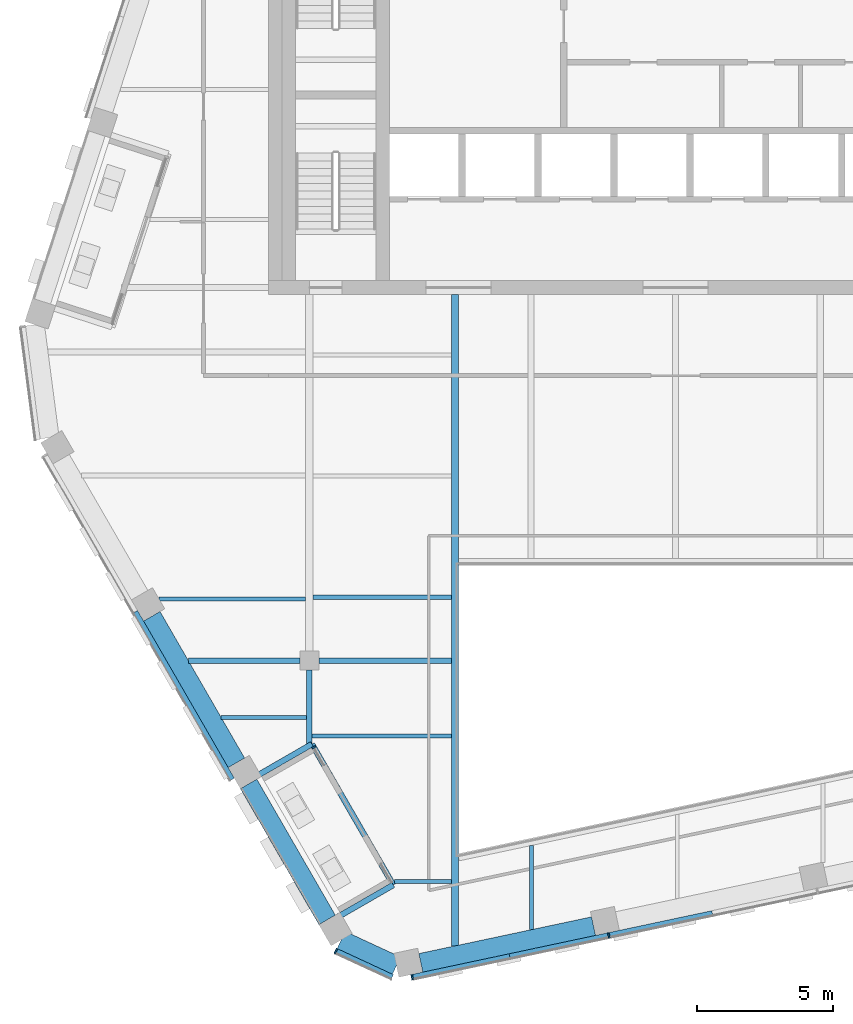
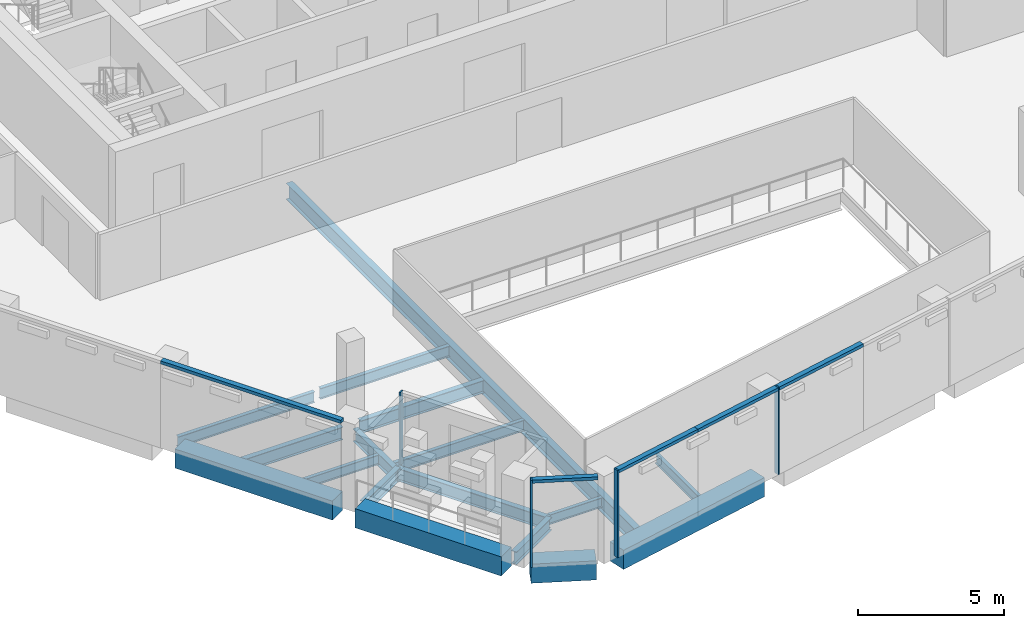
# One storey, part 2 of 22: 17 beams, 9 members, 4 elements without a shape of their own.
"""IFC4 building model written with IfcOpenShell, lengths in metres."""

from ifc_helpers import new_model, si_unit, direction, frame, origin, origin_2d, place, context, subcontext, project, spatial, rectangle, i_section, extrude, material, layer, layer_set, material_profile, profile_set, type_object, element, aggregate, save


model = new_model("IFC4")

# Units and contexts
model_context = context("Model", 3, precision=1e-05, world=origin(), true_north=direction((0.0, 1.0)))
body_context = subcontext(model_context, "Body", "Model", "MODEL_VIEW")
ifc_project = project(units=[si_unit("LENGTHUNIT", "METRE"), si_unit("AREAUNIT", "SQUARE_METRE"), si_unit("VOLUMEUNIT", "CUBIC_METRE"), si_unit("PLANEANGLEUNIT", "RADIAN"), si_unit("MASSUNIT", "GRAM", prefix="KILO")], contexts=[model_context])

# Site, building, storey
site_placement = place(None, origin())
site = spatial("IfcSite", under=ifc_project, at=site_placement, CompositionType="ELEMENT")
building_placement = place(site_placement, origin())
building = spatial("IfcBuilding", under=site, at=building_placement, Name="Isthmus Gate Tower", CompositionType="ELEMENT")
storey_placement = place(building_placement, frame((0.0, 0.0, 264.60009765625)))
storey = spatial("IfcBuildingStorey", under=building, at=storey_placement, Name="L67", CompositionType="ELEMENT", Elevation=264.60009765625)

# Curtain wall, member
ifc_material_1 = material(Name="Aluminium, pale champagne anodised", Category="aluminium")
ifc_layer_1 = layer(ifc_material_1, 0.199951171875)
ifc_layer_set_1 = layer_set([ifc_layer_1], Name="CW-1 UNITISED CURTAIN WALL 200 DEEP")
curtain_wall_type_1 = type_object("IfcCurtainWallType", Name="CW-1 UNITISED CURTAIN WALL 200 DEEP", PredefinedType="NOTDEFINED", material=ifc_layer_set_1)
curtain_wall_1_placement = place(storey_placement, origin())
curtain_wall_1 = element("IfcCurtainWall", 1, at=curtain_wall_1_placement, inside=storey, type_object=curtain_wall_type_1, Name="CW-1 SW-S L67", PredefinedType="NOTDEFINED")
ifc_material_2 = material(Name="Aluminium, pale champagne anodised", Category="aluminium")
ifc_material_profile_1 = material_profile(ifc_material_2, rectangle(XDim=0.06005859375, YDim=0.199951171875, at=origin_2d()), Name="60x200")
ifc_profile_set_1 = profile_set([ifc_material_profile_1], Name="Aluminium, pale champagne anodised")
member_type_1 = type_object("IfcMemberType", Name="CW-1 MULLION 60 X 200", PredefinedType="MULLION", material=ifc_profile_set_1)
member_1_placement = place(storey_placement, frame((-12.519775390625, -24.201171875, 0.0), z_axis=(0.0, 0.0, 1.0), x_axis=(0.907256261367, -0.420578264073, 0.0)))
member_1 = element("IfcMember", 2, at=member_1_placement, type_object=member_type_1, Name="CW-1 mullion", PredefinedType="MULLION", context=body_context, shape_type="SweptSolid", body=[
    extrude(rectangle(XDim=0.06005859375, YDim=0.199951171875, at=origin_2d()), origin(), (0.0, 0.0, 1.0), 3.64990234375),
])

# Curtain wall, members
curtain_wall_2_placement = place(storey_placement, origin())
curtain_wall_2 = element("IfcCurtainWall", 3, at=curtain_wall_2_placement, inside=storey, type_object=curtain_wall_type_1, Name="CW-1 S L67", PredefinedType="NOTDEFINED")
member_2_placement = place(storey_placement, frame((-9.70703125, -25.16552734375, 0.0), z_axis=(0.0, 0.0, 1.0), x_axis=(0.978147600734, 0.207911690818, 0.0)))
member_2 = element("IfcMember", 4, at=member_2_placement, type_object=member_type_1, Name="CW-1 mullion", PredefinedType="MULLION", context=body_context, shape_type="SweptSolid", body=[
    extrude(rectangle(XDim=0.06005859375, YDim=0.199951171875, at=origin_2d()), origin(), (0.0, 0.0, 1.0), 3.64990234375),
])
member_3_placement = place(storey_placement, frame((-2.462158203125, -23.62548828125, 0.0), z_axis=(0.0, 0.0, 1.0), x_axis=(0.978147600734, 0.207911690818, 0.0)))
member_3 = element("IfcMember", 5, at=member_3_placement, type_object=member_type_1, Name="CW-1 mullion", PredefinedType="MULLION", context=body_context, shape_type="SweptSolid", body=[
    extrude(rectangle(XDim=0.06005859375, YDim=0.199951171875, at=origin_2d()), origin(), (0.0, 0.0, 1.0), 3.64990234375),
])

# Curtain wall, member
curtain_wall_3_placement = place(storey_placement, origin())
curtain_wall_3 = element("IfcCurtainWall", 6, at=curtain_wall_3_placement, inside=storey, type_object=curtain_wall_type_1, Name="CW-1 SW L67", PredefinedType="NOTDEFINED")
ifc_material_3 = material(Name="Aluminium, pale champagne anodised", Category="aluminium")
ifc_material_profile_2 = material_profile(ifc_material_3, rectangle(XDim=0.199951171875, YDim=0.1298828125, at=origin_2d()), Name="200x130")
ifc_profile_set_2 = profile_set([ifc_material_profile_2], Name="Aluminium, pale champagne anodised")
member_type_2 = type_object("IfcMemberType", Name="CW-1 TRANSOM 200 X 130", PredefinedType="USERDEFINED", material=ifc_profile_set_2)
member_4_placement = place(storey_placement, frame((-19.917724609375, -11.70166015625, 3.5849609375), z_axis=(0.500010763282, -0.866019189511, 0.0), x_axis=(0.866019189511, 0.500010763282, 0.0)))
member_4 = element("IfcMember", 7, at=member_4_placement, type_object=member_type_2, Name="CW-1 transom", ObjectType="TRANSOM", PredefinedType="USERDEFINED", context=body_context, shape_type="SweptSolid", body=[
    extrude(rectangle(XDim=0.199951171875, YDim=0.1298828125, at=origin_2d()), origin(), (0.0, 0.0, 1.0), 7.134521484375),
])
aggregate(curtain_wall_3, [member_4])

# Member
member_5_placement = place(storey_placement, frame((-12.49267578125, -24.213623046875, 3.5849609375), z_axis=(0.907246225564, -0.420599912268, 0.0), x_axis=(0.420599912268, 0.907246225564, 0.0)))
member_5 = element("IfcMember", 8, at=member_5_placement, type_object=member_type_2, Name="CW-1 transom", ObjectType="TRANSOM", PredefinedType="USERDEFINED", context=body_context, shape_type="SweptSolid", body=[
    extrude(rectangle(XDim=0.199951171875, YDim=0.1298828125, at=origin_2d()), origin(), (0.0, 0.0, 1.0), 2.258544921875),
])

aggregate(curtain_wall_1, [member_1, member_5])

member_6_placement = place(storey_placement, frame((-9.677734375, -25.1591796875, 3.5849609375), z_axis=(0.9781569775, 0.207867571707, 0.0), x_axis=(-0.207867571707, 0.9781569775, 0.0)))
member_6 = element("IfcMember", 9, at=member_6_placement, type_object=member_type_2, Name="CW-1 transom", ObjectType="TRANSOM", PredefinedType="USERDEFINED", context=body_context, shape_type="SweptSolid", body=[
    extrude(rectangle(XDim=0.199951171875, YDim=0.1298828125, at=origin_2d()), origin(), (0.0, 0.0, 1.0), 3.643310546875),
])

member_7_placement = place(storey_placement, frame((-6.114013671875, -24.40185546875, 3.5849609375), z_axis=(0.978146451283, 0.207917098487, 0.0), x_axis=(-0.207917098487, 0.978146451283, 0.0)))
member_7 = element("IfcMember", 10, at=member_7_placement, type_object=member_type_2, Name="CW-1 transom", ObjectType="TRANSOM", PredefinedType="USERDEFINED", context=body_context, shape_type="SweptSolid", body=[
    extrude(rectangle(XDim=0.199951171875, YDim=0.1298828125, at=origin_2d()), origin(), (0.0, 0.0, 1.0), 3.70361328125),
])

member_8_placement = place(storey_placement, frame((-2.432861328125, -23.619384765625, 3.5849609375), z_axis=(0.978140080964, 0.207947065409, 0.0), x_axis=(-0.207947065409, 0.978140080964, 0.0)))
member_8 = element("IfcMember", 11, at=member_8_placement, type_object=member_type_2, Name="CW-1 transom", ObjectType="TRANSOM", PredefinedType="USERDEFINED", context=body_context, shape_type="SweptSolid", body=[
    extrude(rectangle(XDim=0.199951171875, YDim=0.1298828125, at=origin_2d()), origin(), (0.0, 0.0, 1.0), 3.868408203125),
])

aggregate(curtain_wall_2, [member_2, member_6, member_7, member_3, member_8])

# Curtain wall, member
ifc_material_4 = material(Name="Aluminium, pale champagne anodised", Category="aluminium")
ifc_layer_2 = layer(ifc_material_4, 0.14990234375)
ifc_layer_set_2 = layer_set([ifc_layer_2], Name="CW-6 LOGGIA BACK WALL GLAZING 150 DEEP")
curtain_wall_type_2 = type_object("IfcCurtainWallType", Name="CW-6 LOGGIA BACK WALL GLAZING 150 DEEP", PredefinedType="NOTDEFINED", material=ifc_layer_set_2)
curtain_wall_4_placement = place(storey_placement, origin())
curtain_wall_4 = element("IfcCurtainWall", 12, at=curtain_wall_4_placement, inside=storey, type_object=curtain_wall_type_2, Name="CW-6 SW L67", PredefinedType="NOTDEFINED")
ifc_material_5 = material(Name="Aluminium, pale champagne anodised", Category="aluminium")
ifc_material_profile_3 = material_profile(ifc_material_5, rectangle(XDim=0.06005859375, YDim=0.14990234375, at=origin_2d()), Name="60x150")
ifc_profile_set_3 = profile_set([ifc_material_profile_3], Name="Aluminium, pale champagne anodised")
member_type_3 = type_object("IfcMemberType", Name="CW-6 MULLION 60 X 150", PredefinedType="MULLION", material=ifc_profile_set_3)
member_9_placement = place(storey_placement, frame((-13.339111328125, -16.696044921875, 0.0), z_axis=(0.0, 0.0, 1.0), x_axis=(0.5, -0.866025403784, 0.0)))
member_9 = element("IfcMember", 13, at=member_9_placement, type_object=member_type_3, Name="CW-6 mullion", PredefinedType="MULLION", context=body_context, shape_type="SweptSolid", body=[
    extrude(rectangle(XDim=0.06005859375, YDim=0.14990234375, at=origin_2d()), origin(), (0.0, 0.0, 1.0), 3.0498046875),
])
aggregate(curtain_wall_4, [member_9])

# Beams
ifc_material_6 = material(Name="Concrete f'c 50 MPa", Category="concrete")
ifc_material_profile_4 = material_profile(ifc_material_6, rectangle(XDim=0.699951171875, YDim=0.800048828125, at=origin_2d()), Name="RC 700X800")
ifc_profile_set_4 = profile_set([ifc_material_profile_4], Name="Concrete f'c 50 MPa")
beam_type_1 = type_object("IfcBeamType", Name="RC SPANDREL 700 X 800", PredefinedType="SPANDREL", material=ifc_profile_set_4)
beam_1_placement = place(storey_placement, frame((-3.025146484375, -23.28515625, -0.400146484375), z_axis=(-0.97815026796, -0.207899142108, 0.0), x_axis=(0.207899142108, -0.97815026796, 0.0)))
element("IfcBeam", 14, at=beam_1_placement, inside=storey, type_object=beam_type_1, Name="str-spandrel-L67-11", PredefinedType="SPANDREL", context=body_context, shape_type="SweptSolid", body=[
    extrude(rectangle(XDim=0.699951171875, YDim=0.800048828125, at=origin_2d()), origin(), (0.0, 0.0, 1.0), 6.5068359375),
])
beam_2_placement = place(storey_placement, frame((-10.288330078125, -24.739501953125, -0.400146484375), z_axis=(-0.907254968276, 0.42058105347, 0.0), x_axis=(-0.42058105347, -0.907254968276, 0.0)))
element("IfcBeam", 15, at=beam_2_placement, inside=storey, type_object=beam_type_1, Name="str-spandrel-L67-12", PredefinedType="SPANDREL", context=body_context, shape_type="SweptSolid", body=[
    extrude(rectangle(XDim=0.699951171875, YDim=0.800048828125, at=origin_2d()), origin(), (0.0, 0.0, 1.0), 2.245849609375),
])
beam_3_placement = place(storey_placement, frame((-12.843505859375, -23.0546875, -0.400146484375), z_axis=(-0.499961143711, 0.866047836311, 0.0), x_axis=(-0.866047836311, -0.499961143711, 0.0)))
element("IfcBeam", 16, at=beam_3_placement, inside=storey, type_object=beam_type_1, Name="str-spandrel-L67-13", PredefinedType="SPANDREL", context=body_context, shape_type="SweptSolid", body=[
    extrude(rectangle(XDim=0.699951171875, YDim=0.800048828125, at=origin_2d()), origin(), (0.0, 0.0, 1.0), 5.78466796875),
])
beam_4_placement = place(storey_placement, frame((-16.185791015625, -17.265625, -0.400146484375), z_axis=(-0.499997027648, 0.866027119866, 0.0), x_axis=(-0.866027119866, -0.499997027648, 0.0)))
element("IfcBeam", 17, at=beam_4_placement, inside=storey, type_object=beam_type_1, Name="str-spandrel-L67-14", PredefinedType="SPANDREL", context=body_context, shape_type="SweptSolid", body=[
    extrude(rectangle(XDim=0.699951171875, YDim=0.800048828125, at=origin_2d()), origin(), (0.0, 0.0, 1.0), 6.234375),
])
ifc_material_7 = material(Name="Structural steel ASTM A992 Gr 50", Category="steel")
ifc_material_profile_5 = material_profile(ifc_material_7, i_section(OverallWidth=0.1396484375, OverallDepth=0.4033203125, WebThickness=0.00634765625, FlangeThickness=0.010986328125, at=origin_2d()), Name="W16X31")
ifc_profile_set_5 = profile_set([ifc_material_profile_5], Name="Structural steel ASTM A992 Gr 50")
beam_type_2 = type_object("IfcBeamType", Name="STEEL FLOOR BEAM W16X31", PredefinedType="JOIST", material=ifc_profile_set_5)
beam_5_placement = place(storey_placement, frame((-16.7451171875, -15.5966796875, -0.351806640625), z_axis=(1.0, 0.0, 0.0), x_axis=(0.0, 1.0, 0.0)))
element("IfcBeam", 18, at=beam_5_placement, inside=storey, type_object=beam_type_2, Name="str-beam-L67-03-00", PredefinedType="JOIST", context=body_context, shape_type="SweptSolid", body=[
    extrude(i_section(OverallWidth=0.1396484375, OverallDepth=0.4033203125, WebThickness=0.00634765625, FlangeThickness=0.010986328125, at=origin_2d()), origin(), (0.0, 0.0, 1.0), 3.140380859375),
])
beam_6_placement = place(storey_placement, frame((-10.361083984375, -21.635009765625, -0.351806640625), z_axis=(1.0, 0.0, 0.0), x_axis=(0.0, 1.0, 0.0)))
element("IfcBeam", 19, at=beam_6_placement, inside=storey, type_object=beam_type_2, Name="str-beam-L67-06-00", PredefinedType="JOIST", context=body_context, shape_type="SweptSolid", body=[
    extrude(i_section(OverallWidth=0.1396484375, OverallDepth=0.4033203125, WebThickness=0.00634765625, FlangeThickness=0.010986328125, at=origin_2d()), origin(), (0.0, 0.0, 1.0), 2.107177734375),
])
beam_7_placement = place(storey_placement, frame((-5.314208984375, -23.4140625, -0.351806640625), z_axis=(0.0, 1.0, 0.0), x_axis=(-1.0, 0.0, 0.0)))
element("IfcBeam", 20, at=beam_7_placement, inside=storey, type_object=beam_type_2, Name="str-beam-L67-07-00", PredefinedType="JOIST", context=body_context, shape_type="SweptSolid", body=[
    extrude(i_section(OverallWidth=0.1396484375, OverallDepth=0.4033203125, WebThickness=0.00634765625, FlangeThickness=0.010986328125, at=origin_2d()), origin(), (0.0, 0.0, 1.0), 3.10107421875),
])
ifc_material_8 = material(Name="Structural steel ASTM A992 Gr 50", Category="steel")
ifc_material_profile_6 = material_profile(ifc_material_8, i_section(OverallWidth=0.15234375, OverallDepth=0.45068359375, WebThickness=0.0078125, FlangeThickness=0.010986328125, at=origin_2d()), Name="W18X35")
ifc_profile_set_6 = profile_set([ifc_material_profile_6], Name="Structural steel ASTM A992 Gr 50")
beam_type_3 = type_object("IfcBeamType", Name="STEEL FLOOR BEAM W18X35", PredefinedType="JOIST", material=ifc_profile_set_6)
beam_8_placement = place(storey_placement, frame((-19.03759765625, -11.225830078125, -0.37548828125), z_axis=(1.0, 0.0, 0.0), x_axis=(0.0, 1.0, 0.0)))
element("IfcBeam", 21, at=beam_8_placement, inside=storey, type_object=beam_type_3, Name="str-beam-L67-01-00", PredefinedType="JOIST", context=body_context, shape_type="SweptSolid", body=[
    extrude(i_section(OverallWidth=0.15234375, OverallDepth=0.45068359375, WebThickness=0.0078125, FlangeThickness=0.010986328125, at=origin_2d()), origin(), (0.0, 0.0, 1.0), 5.40576171875),
])
beam_9_placement = place(storey_placement, frame((-13.3681640625, -11.16259765625, -0.37548828125), z_axis=(1.0, 0.0, 0.0), x_axis=(0.0, 1.0, 0.0)))
element("IfcBeam", 22, at=beam_9_placement, inside=storey, type_object=beam_type_3, Name="str-beam-L67-05-00", PredefinedType="JOIST", context=body_context, shape_type="SweptSolid", body=[
    extrude(i_section(OverallWidth=0.15234375, OverallDepth=0.45068359375, WebThickness=0.0078125, FlangeThickness=0.010986328125, at=origin_2d()), origin(), (0.0, 0.0, 1.0), 5.1142578125),
])
beam_10_placement = place(storey_placement, frame((-13.395263671875, -16.281494140625, -0.37548828125), z_axis=(1.0, 0.0, 0.0), x_axis=(0.0, 1.0, 0.0)))
element("IfcBeam", 23, at=beam_10_placement, inside=storey, type_object=beam_type_3, Name="str-beam-L67-06-01", PredefinedType="JOIST", context=body_context, shape_type="SweptSolid", body=[
    extrude(i_section(OverallWidth=0.15234375, OverallDepth=0.45068359375, WebThickness=0.0078125, FlangeThickness=0.010986328125, at=origin_2d()), origin(), (0.0, 0.0, 1.0), 5.141357421875),
])
ifc_material_9 = material(Name="Structural steel ASTM A992 Gr 50", Category="steel")
ifc_material_profile_7 = material_profile(ifc_material_9, i_section(OverallWidth=0.20947265625, OverallDepth=0.533447265625, WebThickness=0.009521484375, FlangeThickness=0.015869140625, at=origin_2d()), Name="W21X62")
ifc_profile_set_7 = profile_set([ifc_material_profile_7], Name="Structural steel ASTM A992 Gr 50")
beam_type_4 = type_object("IfcBeamType", Name="STEEL GIRDER W21X62", PredefinedType="BEAM", material=ifc_profile_set_7)
beam_11_placement = place(storey_placement, frame((-17.95556640625, -13.5, -0.416748046875), z_axis=(1.0, 0.0, 0.0), x_axis=(0.0, 1.0, 0.0)))
element("IfcBeam", 24, at=beam_11_placement, inside=storey, type_object=beam_type_4, Name="str-girder-L67-01", PredefinedType="BEAM", context=body_context, shape_type="SweptSolid", body=[
    extrude(i_section(OverallWidth=0.20947265625, OverallDepth=0.533447265625, WebThickness=0.009521484375, FlangeThickness=0.015869140625, at=origin_2d()), origin(), (0.0, 0.0, 1.0), 4.10546875),
])
beam_12_placement = place(storey_placement, frame((-13.14990234375, -13.5, -0.416748046875), z_axis=(1.0, 0.0, 0.0), x_axis=(0.0, 1.0, 0.0)))
element("IfcBeam", 25, at=beam_12_placement, inside=storey, type_object=beam_type_4, Name="str-girder-L67-02", PredefinedType="BEAM", context=body_context, shape_type="SweptSolid", body=[
    extrude(i_section(OverallWidth=0.20947265625, OverallDepth=0.533447265625, WebThickness=0.009521484375, FlangeThickness=0.015869140625, at=origin_2d()), origin(), (0.0, 0.0, 1.0), 4.89599609375),
])
beam_13_placement = place(storey_placement, frame((-13.5, -16.754150390625, -0.416748046875), z_axis=(0.0, 1.0, 0.0), x_axis=(-1.0, 0.0, 0.0)))
element("IfcBeam", 26, at=beam_13_placement, inside=storey, type_object=beam_type_4, Name="str-girder-L67-05", PredefinedType="BEAM", context=body_context, shape_type="SweptSolid", body=[
    extrude(i_section(OverallWidth=0.20947265625, OverallDepth=0.533447265625, WebThickness=0.009521484375, FlangeThickness=0.015869140625, at=origin_2d()), origin(), (0.0, 0.0, 1.0), 2.904052734375),
])
ifc_material_10 = material(Name="Structural steel ASTM A992 Gr 50", Category="steel")
ifc_material_profile_8 = material_profile(ifc_material_10, i_section(OverallWidth=0.20947265625, OverallDepth=0.533447265625, WebThickness=0.009521484375, FlangeThickness=0.015869140625, at=origin_2d()), Name="W21X62")
ifc_profile_set_8 = profile_set([ifc_material_profile_8], Name="Structural steel ASTM A992 Gr 50")
beam_type_5 = type_object("IfcBeamType", Name="STEEL TRIMMER W21X62", PredefinedType="BEAM", material=ifc_profile_set_8)
beam_14_placement = place(storey_placement, frame((-13.40234375, -16.576904296875, -0.416748046875), z_axis=(0.500011564754, -0.866018726768, 0.0), x_axis=(0.866018726768, 0.500011564754, 0.0)))
element("IfcBeam", 27, at=beam_14_placement, inside=storey, type_object=beam_type_5, Name="str-loggiatrim-L67-03-B", PredefinedType="BEAM", context=body_context, shape_type="SweptSolid", body=[
    extrude(i_section(OverallWidth=0.20947265625, OverallDepth=0.533447265625, WebThickness=0.009521484375, FlangeThickness=0.015869140625, at=origin_2d()), origin(), (0.0, 0.0, 1.0), 5.993896484375),
])
beam_15_placement = place(storey_placement, frame((-15.48486328125, -17.779296875, -0.416748046875), z_axis=(0.866016514357, 0.500015396624, 0.0), x_axis=(-0.500015396624, 0.866016514357, 0.0)))
element("IfcBeam", 28, at=beam_15_placement, inside=storey, type_object=beam_type_5, Name="str-loggiatrim-L67-03-A", PredefinedType="BEAM", context=body_context, shape_type="SweptSolid", body=[
    extrude(i_section(OverallWidth=0.20947265625, OverallDepth=0.533447265625, WebThickness=0.009521484375, FlangeThickness=0.015869140625, at=origin_2d()), origin(), (0.0, 0.0, 1.0), 2.40478515625),
])
beam_16_placement = place(storey_placement, frame((-12.488037109375, -22.97021484375, -0.416748046875), z_axis=(0.866041894065, 0.499971436909, 0.0), x_axis=(-0.499971436909, 0.866041894065, 0.0)))
element("IfcBeam", 29, at=beam_16_placement, inside=storey, type_object=beam_type_5, Name="str-loggiatrim-L67-03-C", PredefinedType="BEAM", context=body_context, shape_type="SweptSolid", body=[
    extrude(i_section(OverallWidth=0.20947265625, OverallDepth=0.533447265625, WebThickness=0.009521484375, FlangeThickness=0.015869140625, at=origin_2d()), origin(), (0.0, 0.0, 1.0), 2.405029296875),
])
ifc_material_11 = material(Name="Structural steel ASTM A992 Gr 50", Category="steel")
ifc_material_profile_9 = material_profile(ifc_material_11, i_section(OverallWidth=0.25390625, OverallDepth=0.679443359375, WebThickness=0.010986328125, FlangeThickness=0.015869140625, at=origin_2d()), Name="W27X84")
ifc_profile_set_9 = profile_set([ifc_material_profile_9], Name="Structural steel ASTM A992 Gr 50")
beam_type_6 = type_object("IfcBeamType", Name="STEEL TRIMMER W27X84", PredefinedType="BEAM", material=ifc_profile_set_9)
beam_17_placement = place(storey_placement, frame((-8.126953125, 0.0, -0.48974609375), z_axis=(0.0, -1.0, 0.0), x_axis=(1.0, 0.0, 0.0)))
element("IfcBeam", 30, at=beam_17_placement, inside=storey, type_object=beam_type_6, Name="str-trimmer-L67-02", PredefinedType="BEAM", context=body_context, shape_type="SweptSolid", body=[
    extrude(i_section(OverallWidth=0.25390625, OverallDepth=0.679443359375, WebThickness=0.010986328125, FlangeThickness=0.015869140625, at=origin_2d()), origin(), (0.0, 0.0, 1.0), 24.01171875),
])

save(model, "model.ifc")
